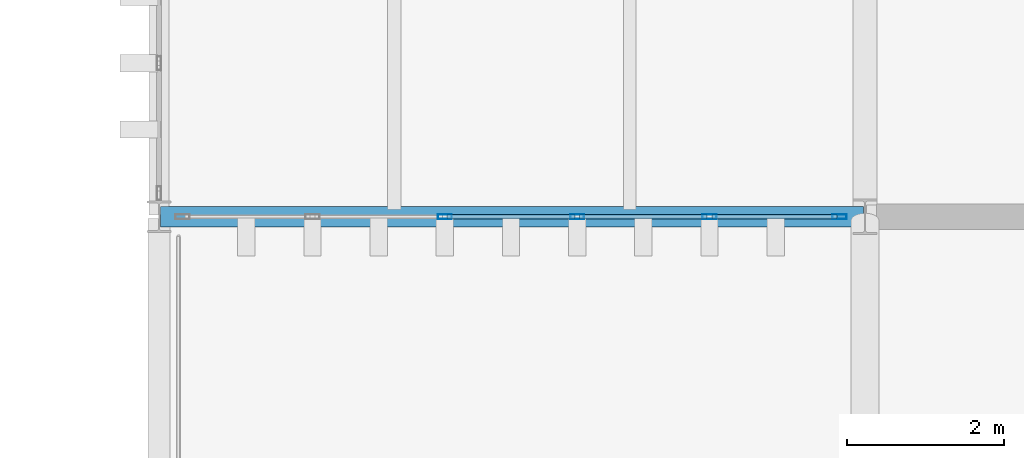
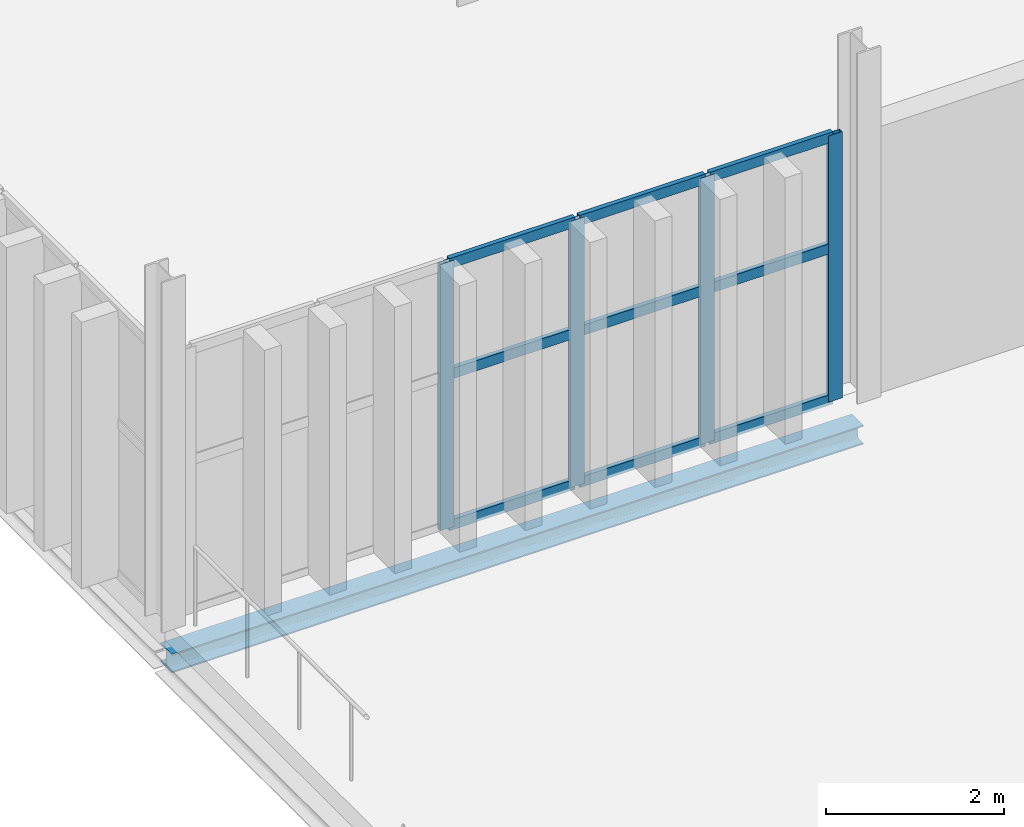
# One storey, part 113 of 196: 13 members, 1 beam, 1 element without a shape of its own.
"""IFC4 building model written with IfcOpenShell, lengths in metres."""

from ifc_helpers import new_model, si_unit, direction, frame, origin, origin_2d, place, context, subcontext, project, spatial, hollow_rectangle, i_section, extrude, material, layer, layer_set, material_profile, profile_set, type_object, element, aggregate, save


model = new_model("IFC4")

# Units and contexts
model_context = context("Model", 3, precision=1e-05, world=origin(), true_north=direction((0.0, 1.0)))
body_context = subcontext(model_context, "Body", "Model", "MODEL_VIEW")
ifc_project = project(units=[si_unit("LENGTHUNIT", "METRE"), si_unit("AREAUNIT", "SQUARE_METRE"), si_unit("VOLUMEUNIT", "CUBIC_METRE"), si_unit("PLANEANGLEUNIT", "RADIAN"), si_unit("MASSUNIT", "GRAM", prefix="KILO")], contexts=[model_context])

# Site, building, storey
site_placement = place(None, origin())
site = spatial("IfcSite", under=ifc_project, at=site_placement, CompositionType="ELEMENT")
building_placement = place(site_placement, origin())
building = spatial("IfcBuilding", under=site, at=building_placement, Name="Barlavento Convention Centre", CompositionType="ELEMENT")
storey_placement = place(building_placement, frame((0.0, 0.0, 18.0)))
storey = spatial("IfcBuildingStorey", under=building, at=storey_placement, Name="L03", CompositionType="ELEMENT", Elevation=18.0)

# Curtain wall, members
ifc_material_1 = material(Name="Powder-coated aluminium and Low-E glass", Category="aluminium")
ifc_layer = layer(ifc_material_1, 0.179931640625)
ifc_layer_set = layer_set([ifc_layer], Name="ARC-CW-CONF-L03")
curtain_wall_type = type_object("IfcCurtainWallType", Name="ARC-CW-CONF-L03", PredefinedType="NOTDEFINED", material=ifc_layer_set)
curtain_wall_placement = place(storey_placement, origin())
curtain_wall = element("IfcCurtainWall", 1, at=curtain_wall_placement, inside=storey, type_object=curtain_wall_type, Name="L03 unitised curtain wall CW08", PredefinedType="NOTDEFINED")
ifc_material_2 = material(Name="Powder-coated aluminium", Category="aluminium")
ifc_material_profile_1 = material_profile(ifc_material_2, hollow_rectangle(XDim=0.06005859375, YDim=0.179931640625, WallThickness=0.0048828125, at=origin_2d()), Name="AL-MULL 60x180x5")
ifc_profile_set_1 = profile_set([ifc_material_profile_1], Name="Powder-coated aluminium")
member_type_1 = type_object("IfcMemberType", Name="ARC-CWM-60X180", PredefinedType="MULLION", material=ifc_profile_set_1)
member_1_placement = place(storey_placement, frame((129.64404296875, 36.0, 0.0), z_axis=(0.0, 0.0, 1.0), x_axis=(0.0, 1.0, 0.0)))
member_1 = element("IfcMember", 2, at=member_1_placement, type_object=member_type_1, Name="CW08 mullion 3", PredefinedType="MULLION", context=body_context, shape_type="SweptSolid", body=[
    extrude(hollow_rectangle(XDim=0.06005859375, YDim=0.179931640625, WallThickness=0.0048828125, at=origin_2d()), origin(), (0.0, 0.0, 1.0), 3.64990234375),
])
member_2_placement = place(storey_placement, frame((131.3310546875, 36.0, 0.0), z_axis=(0.0, 0.0, 1.0), x_axis=(0.0, 1.0, 0.0)))
member_2 = element("IfcMember", 3, at=member_2_placement, type_object=member_type_1, Name="CW08 mullion 4", PredefinedType="MULLION", context=body_context, shape_type="SweptSolid", body=[
    extrude(hollow_rectangle(XDim=0.06005859375, YDim=0.179931640625, WallThickness=0.0048828125, at=origin_2d()), origin(), (0.0, 0.0, 1.0), 3.64990234375),
])
member_3_placement = place(storey_placement, frame((133.01806640625, 36.0, 0.0), z_axis=(0.0, 0.0, 1.0), x_axis=(0.0, 1.0, 0.0)))
member_3 = element("IfcMember", 4, at=member_3_placement, type_object=member_type_1, Name="CW08 mullion 5", PredefinedType="MULLION", context=body_context, shape_type="SweptSolid", body=[
    extrude(hollow_rectangle(XDim=0.06005859375, YDim=0.179931640625, WallThickness=0.0048828125, at=origin_2d()), origin(), (0.0, 0.0, 1.0), 3.64990234375),
])
member_4_placement = place(storey_placement, frame((134.675048828125, 36.0, 0.0), z_axis=(0.0, 0.0, 1.0), x_axis=(0.0, 1.0, 0.0)))
member_4 = element("IfcMember", 5, at=member_4_placement, type_object=member_type_1, Name="CW08 mullion 6", PredefinedType="MULLION", context=body_context, shape_type="SweptSolid", body=[
    extrude(hollow_rectangle(XDim=0.06005859375, YDim=0.179931640625, WallThickness=0.0048828125, at=origin_2d()), origin(), (0.0, 0.0, 1.0), 3.64990234375),
])
ifc_material_profile_2 = material_profile(ifc_material_2, hollow_rectangle(XDim=0.06005859375, YDim=0.139892578125, WallThickness=0.00390625, at=origin_2d()), Name="AL-TRAN 60x140x4")
ifc_profile_set_2 = profile_set([ifc_material_profile_2], Name="Powder-coated aluminium")
member_type_2 = type_object("IfcMemberType", Name="ARC-CWT-60X140", PredefinedType="USERDEFINED", material=ifc_profile_set_2)
member_5_placement = place(storey_placement, frame((129.674072265625, 36.0, 0.030029296875), z_axis=(1.0, 0.0, 0.0), x_axis=(0.0, 1.0, 0.0)))
member_5 = element("IfcMember", 6, at=member_5_placement, type_object=member_type_2, Name="CW08 transom 3.1", ObjectType="TRANSOM", PredefinedType="USERDEFINED", context=body_context, shape_type="SweptSolid", body=[
    extrude(hollow_rectangle(XDim=0.06005859375, YDim=0.139892578125, WallThickness=0.00390625, at=origin_2d()), origin(), (0.0, 0.0, 1.0), 1.626953125),
])
member_6_placement = place(storey_placement, frame((129.674072265625, 36.0, 2.10009765625), z_axis=(1.0, 0.0, 0.0), x_axis=(0.0, 1.0, 0.0)))
member_6 = element("IfcMember", 7, at=member_6_placement, type_object=member_type_2, Name="CW08 transom 3.2", ObjectType="TRANSOM", PredefinedType="USERDEFINED", context=body_context, shape_type="SweptSolid", body=[
    extrude(hollow_rectangle(XDim=0.06005859375, YDim=0.139892578125, WallThickness=0.00390625, at=origin_2d()), origin(), (0.0, 0.0, 1.0), 1.626953125),
])
member_7_placement = place(storey_placement, frame((129.674072265625, 36.0, 3.6201171875), z_axis=(1.0, 0.0, 0.0), x_axis=(0.0, 1.0, 0.0)))
member_7 = element("IfcMember", 8, at=member_7_placement, type_object=member_type_2, Name="CW08 transom 3.3", ObjectType="TRANSOM", PredefinedType="USERDEFINED", context=body_context, shape_type="SweptSolid", body=[
    extrude(hollow_rectangle(XDim=0.06005859375, YDim=0.139892578125, WallThickness=0.00390625, at=origin_2d()), origin(), (0.0, 0.0, 1.0), 1.626953125),
])
member_8_placement = place(storey_placement, frame((131.361083984375, 36.0, 0.030029296875), z_axis=(1.0, 0.0, 0.0), x_axis=(0.0, 1.0, 0.0)))
member_8 = element("IfcMember", 9, at=member_8_placement, type_object=member_type_2, Name="CW08 transom 4.1", ObjectType="TRANSOM", PredefinedType="USERDEFINED", context=body_context, shape_type="SweptSolid", body=[
    extrude(hollow_rectangle(XDim=0.06005859375, YDim=0.139892578125, WallThickness=0.00390625, at=origin_2d()), origin(), (0.0, 0.0, 1.0), 1.626953125),
])
member_9_placement = place(storey_placement, frame((131.361083984375, 36.0, 2.10009765625), z_axis=(1.0, 0.0, 0.0), x_axis=(0.0, 1.0, 0.0)))
member_9 = element("IfcMember", 10, at=member_9_placement, type_object=member_type_2, Name="CW08 transom 4.2", ObjectType="TRANSOM", PredefinedType="USERDEFINED", context=body_context, shape_type="SweptSolid", body=[
    extrude(hollow_rectangle(XDim=0.06005859375, YDim=0.139892578125, WallThickness=0.00390625, at=origin_2d()), origin(), (0.0, 0.0, 1.0), 1.626953125),
])
member_10_placement = place(storey_placement, frame((131.361083984375, 36.0, 3.6201171875), z_axis=(1.0, 0.0, 0.0), x_axis=(0.0, 1.0, 0.0)))
member_10 = element("IfcMember", 11, at=member_10_placement, type_object=member_type_2, Name="CW08 transom 4.3", ObjectType="TRANSOM", PredefinedType="USERDEFINED", context=body_context, shape_type="SweptSolid", body=[
    extrude(hollow_rectangle(XDim=0.06005859375, YDim=0.139892578125, WallThickness=0.00390625, at=origin_2d()), origin(), (0.0, 0.0, 1.0), 1.626953125),
])
member_11_placement = place(storey_placement, frame((133.048095703125, 36.0, 0.030029296875), z_axis=(1.0, 0.0, 0.0), x_axis=(0.0, 1.0, 0.0)))
member_11 = element("IfcMember", 12, at=member_11_placement, type_object=member_type_2, Name="CW08 transom 5.1", ObjectType="TRANSOM", PredefinedType="USERDEFINED", context=body_context, shape_type="SweptSolid", body=[
    extrude(hollow_rectangle(XDim=0.06005859375, YDim=0.139892578125, WallThickness=0.00390625, at=origin_2d()), origin(), (0.0, 0.0, 1.0), 1.596923828125),
])
member_12_placement = place(storey_placement, frame((133.048095703125, 36.0, 2.10009765625), z_axis=(1.0, 0.0, 0.0), x_axis=(0.0, 1.0, 0.0)))
member_12 = element("IfcMember", 13, at=member_12_placement, type_object=member_type_2, Name="CW08 transom 5.2", ObjectType="TRANSOM", PredefinedType="USERDEFINED", context=body_context, shape_type="SweptSolid", body=[
    extrude(hollow_rectangle(XDim=0.06005859375, YDim=0.139892578125, WallThickness=0.00390625, at=origin_2d()), origin(), (0.0, 0.0, 1.0), 1.596923828125),
])
member_13_placement = place(storey_placement, frame((133.048095703125, 36.0, 3.6201171875), z_axis=(1.0, 0.0, 0.0), x_axis=(0.0, 1.0, 0.0)))
member_13 = element("IfcMember", 14, at=member_13_placement, type_object=member_type_2, Name="CW08 transom 5.3", ObjectType="TRANSOM", PredefinedType="USERDEFINED", context=body_context, shape_type="SweptSolid", body=[
    extrude(hollow_rectangle(XDim=0.06005859375, YDim=0.139892578125, WallThickness=0.00390625, at=origin_2d()), origin(), (0.0, 0.0, 1.0), 1.596923828125),
])
aggregate(curtain_wall, [member_1, member_2, member_3, member_4, member_5, member_6, member_7, member_8, member_9, member_10, member_11, member_12, member_13])

# Beam
ifc_material_3 = material(Name="Steel S355", Category="steel")
ifc_material_profile_3 = material_profile(ifc_material_3, i_section(OverallWidth=0.260009765625, OverallDepth=0.260009765625, WebThickness=0.010009765625, FlangeThickness=0.017578125, FilletRadius=0.02392578125, at=origin_2d()), Name="HEB 260")
ifc_profile_set_3 = profile_set([ifc_material_profile_3], Name="Steel S355")
beam_type = type_object("IfcBeamType", Name="STR-BM-PRI-HEB260", PredefinedType="BEAM", material=ifc_profile_set_3)
beam_placement = place(storey_placement, frame((126.02001953125, 36.0, -0.52001953125), z_axis=(1.0, 0.0, 0.0), x_axis=(0.0, 1.0, 0.0)))
element("IfcBeam", 15, at=beam_placement, inside=storey, type_object=beam_type, Name="L03 primary girder BG16", PredefinedType="BEAM", context=body_context, shape_type="SweptSolid", body=[
    extrude(i_section(OverallWidth=0.260009765625, OverallDepth=0.260009765625, WebThickness=0.010009765625, FlangeThickness=0.017578125, FilletRadius=0.02392578125, at=origin_2d()), origin(), (0.0, 0.0, 1.0), 8.9599609375),
])

save(model, "model.ifc")
